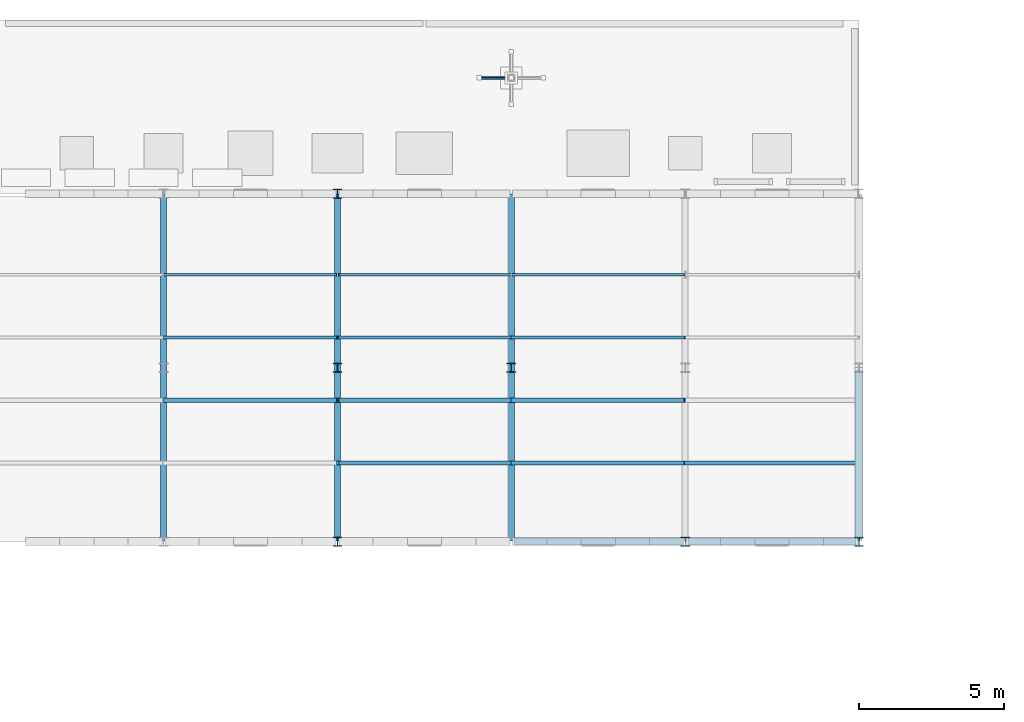
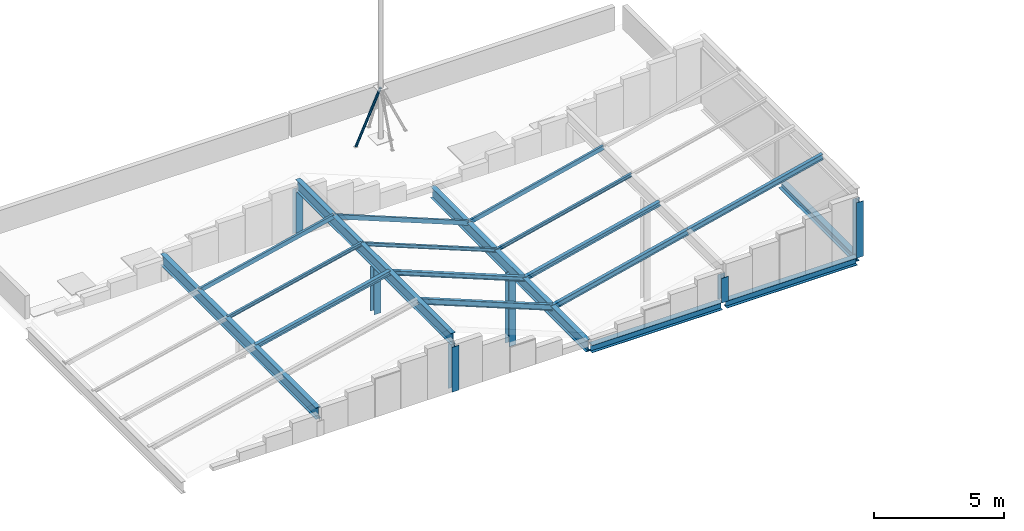
# One storey, part 20 of 74: 19 members, 6 beams.
"""IFC4 building model written with IfcOpenShell, lengths in metres."""

from ifc_helpers import new_model, si_unit, direction, frame, origin, origin_2d, place, context, subcontext, project, spatial, hollow_rectangle, hollow_circle, i_section, extrude, material, material_profile, profile_set, type_object, element, save


model = new_model("IFC4")

# Units and contexts
model_context = context("Model", 3, precision=1e-05, world=origin(), true_north=direction((0.0, 1.0)))
body_context = subcontext(model_context, "Body", "Model", "MODEL_VIEW")
ifc_project = project(units=[si_unit("LENGTHUNIT", "METRE"), si_unit("AREAUNIT", "SQUARE_METRE"), si_unit("VOLUMEUNIT", "CUBIC_METRE"), si_unit("PLANEANGLEUNIT", "RADIAN"), si_unit("MASSUNIT", "GRAM", prefix="KILO")], contexts=[model_context])

# Site, building, storey
site_placement = place(None, origin())
site = spatial("IfcSite", under=ifc_project, at=site_placement, CompositionType="ELEMENT")
building_placement = place(site_placement, origin())
building = spatial("IfcBuilding", under=site, at=building_placement, Name="Siltcreek Boulevard Central Fire Station", CompositionType="ELEMENT")
storey_placement = place(building_placement, frame((0.0, 0.0, 25.199951171875)))
storey = spatial("IfcBuildingStorey", under=building, at=storey_placement, Name="RF", CompositionType="ELEMENT", Elevation=25.199951171875)

# Beams
ifc_material_1 = material(Name="Structural steel ASTM A992 Gr50", Category="steel")
ifc_material_profile_1 = material_profile(ifc_material_1, i_section(OverallWidth=0.25390625, OverallDepth=0.35302734375, WebThickness=0.009521484375, FlangeThickness=0.016357421875, at=origin_2d()), Name="W360X91")
ifc_profile_set_1 = profile_set([ifc_material_profile_1], Name="Structural steel ASTM A992 Gr50")
beam_type_1 = type_object("IfcBeamType", Name="BM_W360X91", PredefinedType="BEAM", material=ifc_profile_set_1)
for number, where, z_axis, x_axis, name in (
    (1, (154.199951171875, 94.300048828125, -3.7763671875), (0.0, 1.0, 0.0), (-1.0, 0.0, 0.0), "Perimeter roof eave tie beam EB-08"),
    (2, (142.300048828125, 94.199951171875, -3.7763671875), (1.0, 0.0, 0.0), (0.0, 1.0, 0.0), "Perimeter roof eave tie beam EB-11"),
    (3, (148.300048828125, 94.199951171875, -3.7763671875), (1.0, 0.0, 0.0), (0.0, 1.0, 0.0), "Perimeter roof eave tie beam EB-12"),
):
    element("IfcBeam", number, at=place(storey_placement, frame(where, z_axis=z_axis, x_axis=x_axis)), inside=storey, type_object=beam_type_1, Name=name, PredefinedType="BEAM", context=body_context, shape_type="SweptSolid", body=[
        extrude(i_section(OverallWidth=0.25390625, OverallDepth=0.35302734375, WebThickness=0.009521484375, FlangeThickness=0.016357421875, at=origin_2d()), origin(), (0.0, 0.0, 1.0), 5.800048828125),
    ])
ifc_material_profile_2 = material_profile(ifc_material_1, i_section(OverallWidth=0.2109375, OverallDepth=0.5390625, WebThickness=0.01171875, FlangeThickness=0.018798828125, at=origin_2d()), Name="W530X109")
ifc_profile_set_2 = profile_set([ifc_material_profile_2], Name="Structural steel ASTM A992 Gr50")
beam_type_2 = type_object("IfcBeamType", Name="BM_W530X109", PredefinedType="BEAM", material=ifc_profile_set_2)
for number, where, z_axis, x_axis, name in (
    (4, (130.199951171875, 94.2099609375, -2.62353515625), (0.0, 1.0, 0.0), (-1.0, 0.0, 0.0), "Pitched roof rafter beam RFB-052"),
    (5, (136.199951171875, 94.2099609375, -1.223388671875), (0.0, 1.0, 0.0), (-1.0, 0.0, 0.0), "Pitched roof rafter beam RFB-053"),
    (6, (142.199951171875, 94.2099609375, -3.656982421875), (0.0, 1.0, 0.0), (-1.0, 0.0, 0.0), "Pitched roof rafter beam RFB-054"),
):
    element("IfcBeam", number, at=place(storey_placement, frame(where, z_axis=z_axis, x_axis=x_axis)), inside=storey, type_object=beam_type_2, Name=name, PredefinedType="BEAM", context=body_context, shape_type="SweptSolid", body=[
        extrude(i_section(OverallWidth=0.2109375, OverallDepth=0.5390625, WebThickness=0.01171875, FlangeThickness=0.018798828125, at=origin_2d()), origin(), (0.0, 0.0, 1.0), 11.97998046875),
    ])

# Members
ifc_material_2 = material(Name="Structural steel ASTM A500 GrC", Category="steel")
ifc_material_profile_3 = material_profile(ifc_material_2, hollow_circle(Radius=0.05712890625, WallThickness=0.006103515625, at=origin_2d()), Name="HSS114.3X6.0")
ifc_profile_set_3 = profile_set([ifc_material_profile_3], Name="Structural steel ASTM A500 GrC")
member_type_1 = type_object("IfcMemberType", Name="BR_CHS114", PredefinedType="BRACE", material=ifc_profile_set_3)
member_1_placement = place(storey_placement, frame((141.10009765625, 110.199951171875, -3.599853515625), z_axis=(0.4166228663, 0.0, 0.909079417475), x_axis=(0.0, 1.0, 0.0)))
element("IfcMember", 7, at=member_1_placement, inside=storey, type_object=member_type_1, Name="Communications mast MB1 base diagonal strut 2", PredefinedType="BRACE", context=body_context, shape_type="SweptSolid", body=[
    extrude(hollow_circle(Radius=0.05712890625, WallThickness=0.006103515625, at=origin_2d()), origin(), (0.0, 0.0, 1.0), 2.639892578125),
])
ifc_material_profile_4 = material_profile(ifc_material_1, i_section(OverallWidth=0.304931640625, OverallDepth=0.30810546875, WebThickness=0.010009765625, FlangeThickness=0.015380859375, at=origin_2d()), Name="W310X97")
ifc_profile_set_4 = profile_set([ifc_material_profile_4], Name="Structural steel ASTM A992 Gr50")
member_type_2 = type_object("IfcMemberType", Name="CH_W310X97", PredefinedType="CHORD", material=ifc_profile_set_4)
for number, where, z_axis, x_axis, name in (
    (8, (136.199951171875, 94.199951171875, -3.599853515625), (0.0, 0.0, 1.0), (1.0, 0.0, 0.0), "Roof bearing truss post 0771"),
    (9, (136.199951171875, 100.199951171875, -3.599853515625), (0.0, 0.0, 1.0), (1.0, 0.0, 0.0), "Roof bearing truss post 0772"),
    (10, (136.199951171875, 106.199951171875, -3.599853515625), (0.0, 0.0, 1.0), (1.0, 0.0, 0.0), "Roof bearing truss post 0773"),
):
    element("IfcMember", number, at=place(storey_placement, frame(where, z_axis=z_axis, x_axis=x_axis)), inside=storey, type_object=member_type_2, Name=name, PredefinedType="CHORD", context=body_context, shape_type="SweptSolid", body=[
        extrude(i_section(OverallWidth=0.304931640625, OverallDepth=0.30810546875, WebThickness=0.010009765625, FlangeThickness=0.015380859375, at=origin_2d()), origin(), (0.0, 0.0, 1.0), 2.11083984375),
    ])
member_2_placement = place(storey_placement, frame((142.199951171875, 100.199951171875, -7.199951171875), z_axis=(0.0, 0.0, 1.0), x_axis=(1.0, 0.0, 0.0)))
element("IfcMember", 11, at=member_2_placement, inside=storey, type_object=member_type_2, Name="Roof bearing truss post 0780", PredefinedType="CHORD", context=body_context, shape_type="SweptSolid", body=[
    extrude(i_section(OverallWidth=0.304931640625, OverallDepth=0.30810546875, WebThickness=0.010009765625, FlangeThickness=0.015380859375, at=origin_2d()), origin(), (0.0, 0.0, 1.0), 3.3095703125),
])
member_3_placement = place(storey_placement, frame((148.199951171875, 94.199951171875, -3.599853515625), z_axis=(0.0, 0.0, 1.0), x_axis=(1.0, 0.0, 0.0)))
element("IfcMember", 12, at=member_3_placement, inside=storey, type_object=member_type_2, Name="Roof bearing truss post 0785", PredefinedType="CHORD", context=body_context, shape_type="SweptSolid", body=[
    extrude(i_section(OverallWidth=0.304931640625, OverallDepth=0.30810546875, WebThickness=0.010009765625, FlangeThickness=0.015380859375, at=origin_2d()), origin(), (0.0, 0.0, 1.0), 1.159423828125),
])
member_4_placement = place(storey_placement, frame((154.199951171875, 94.199951171875, -3.599853515625), z_axis=(0.0, 0.0, 1.0), x_axis=(1.0, 0.0, 0.0)))
element("IfcMember", 13, at=member_4_placement, inside=storey, type_object=member_type_2, Name="Roof bearing truss post 0792", PredefinedType="CHORD", context=body_context, shape_type="SweptSolid", body=[
    extrude(i_section(OverallWidth=0.304931640625, OverallDepth=0.30810546875, WebThickness=0.010009765625, FlangeThickness=0.015380859375, at=origin_2d()), origin(), (0.0, 0.0, 1.0), 2.609375),
])
ifc_material_profile_5 = material_profile(ifc_material_2, hollow_rectangle(XDim=0.10009765625, YDim=0.199951171875, WallThickness=0.00634765625, at=origin_2d()), Name="HSS200X100X6.4")
ifc_profile_set_5 = profile_set([ifc_material_profile_5], Name="Structural steel ASTM A500 GrC")
member_type_3 = type_object("IfcMemberType", Name="PR_HSS200X100", PredefinedType="PURLIN", material=ifc_profile_set_5)
member_5_placement = place(storey_placement, frame((130.2099609375, 103.406005859375, -2.4208984375), z_axis=(0.973843555816, 0.0, 0.227219560769), x_axis=(0.0, 1.0, 0.0)))
element("IfcMember", 14, at=member_5_placement, inside=storey, type_object=member_type_3, Name="Sloped roof purlin PR-0275", PredefinedType="PURLIN", context=body_context, shape_type="SweptSolid", body=[
    extrude(hollow_rectangle(XDim=0.10009765625, YDim=0.199951171875, WallThickness=0.00634765625, at=origin_2d()), origin(), (0.0, 0.0, 1.0), 6.140625),
])
member_6_placement = place(storey_placement, frame((136.2099609375, 103.406005859375, -1.044921875), z_axis=(0.928471462369, 0.0, -0.371403747379), x_axis=(0.0, 1.0, 0.0)))
element("IfcMember", 15, at=member_6_placement, inside=storey, type_object=member_type_3, Name="Sloped roof purlin PR-0279", PredefinedType="PURLIN", context=body_context, shape_type="SweptSolid", body=[
    extrude(hollow_rectangle(XDim=0.10009765625, YDim=0.199951171875, WallThickness=0.00634765625, at=origin_2d()), origin(), (0.0, 0.0, 1.0), 6.440673828125),
])
member_7_placement = place(storey_placement, frame((142.2099609375, 103.406005859375, -3.421630859375), z_axis=(0.972021936991, 0.0, 0.234890089208), x_axis=(0.0, 1.0, 0.0)))
element("IfcMember", 16, at=member_7_placement, inside=storey, type_object=member_type_3, Name="Sloped roof purlin PR-0283", PredefinedType="PURLIN", context=body_context, shape_type="SweptSolid", body=[
    extrude(hollow_rectangle(XDim=0.10009765625, YDim=0.199951171875, WallThickness=0.00634765625, at=origin_2d()), origin(), (0.0, 0.0, 1.0), 6.152099609375),
])
ifc_material_profile_6 = material_profile(ifc_material_1, i_section(OverallWidth=0.10205078125, OverallDepth=0.159912109375, WebThickness=0.006591796875, FlangeThickness=0.01025390625, at=origin_2d()), Name="W150X24")
ifc_profile_set_6 = profile_set([ifc_material_profile_6], Name="Structural steel ASTM A992 Gr50")
member_type_4 = type_object("IfcMemberType", Name="PR_W150X24", PredefinedType="PURLIN", material=ifc_profile_set_6)
member_8_placement = place(storey_placement, frame((130.2099609375, 101.241943359375, -2.400390625), z_axis=(0.973843555816, 0.0, 0.227219560769), x_axis=(0.0, 1.0, 0.0)))
element("IfcMember", 17, at=member_8_placement, inside=storey, type_object=member_type_4, Name="Sloped roof purlin PR-0274", PredefinedType="PURLIN", context=body_context, shape_type="SweptSolid", body=[
    extrude(i_section(OverallWidth=0.10205078125, OverallDepth=0.159912109375, WebThickness=0.006591796875, FlangeThickness=0.01025390625, at=origin_2d()), origin(), (0.0, 0.0, 1.0), 6.140625),
])
member_9_placement = place(storey_placement, frame((136.2099609375, 101.241943359375, -1.0234375), z_axis=(0.928484533425, 0.0, -0.371371069403), x_axis=(0.0, 1.0, 0.0)))
element("IfcMember", 18, at=member_9_placement, inside=storey, type_object=member_type_4, Name="Sloped roof purlin PR-0278", PredefinedType="PURLIN", context=body_context, shape_type="SweptSolid", body=[
    extrude(i_section(OverallWidth=0.10205078125, OverallDepth=0.159912109375, WebThickness=0.006591796875, FlangeThickness=0.01025390625, at=origin_2d()), origin(), (0.0, 0.0, 1.0), 6.440673828125),
])
member_10_placement = place(storey_placement, frame((142.2099609375, 101.241943359375, -3.401123046875), z_axis=(0.972012875749, 0.0, 0.234927583263), x_axis=(0.0, 1.0, 0.0)))
element("IfcMember", 19, at=member_10_placement, inside=storey, type_object=member_type_4, Name="Sloped roof purlin PR-0282", PredefinedType="PURLIN", context=body_context, shape_type="SweptSolid", body=[
    extrude(i_section(OverallWidth=0.10205078125, OverallDepth=0.159912109375, WebThickness=0.006591796875, FlangeThickness=0.01025390625, at=origin_2d()), origin(), (0.0, 0.0, 1.0), 6.152099609375),
])
ifc_material_profile_7 = material_profile(ifc_material_1, i_section(OverallWidth=0.1650390625, OverallDepth=0.200927734375, WebThickness=0.006103515625, FlangeThickness=0.01025390625, at=origin_2d()), Name="W200X36")
ifc_profile_set_7 = profile_set([ifc_material_profile_7], Name="Structural steel ASTM A992 Gr50")
member_type_5 = type_object("IfcMemberType", Name="PR_W200X36", PredefinedType="PURLIN", material=ifc_profile_set_7)
member_11_placement = place(storey_placement, frame((130.2099609375, 99.077880859375, -2.421630859375), z_axis=(0.973834757562, 0.0, 0.227257266033), x_axis=(0.0, 1.0, 0.0)))
element("IfcMember", 20, at=member_11_placement, inside=storey, type_object=member_type_5, Name="Sloped roof purlin PR-0273", PredefinedType="PURLIN", context=body_context, shape_type="SweptSolid", body=[
    extrude(i_section(OverallWidth=0.1650390625, OverallDepth=0.200927734375, WebThickness=0.006103515625, FlangeThickness=0.01025390625, at=origin_2d()), origin(), (0.0, 0.0, 1.0), 6.140625),
])
member_12_placement = place(storey_placement, frame((136.2099609375, 99.077880859375, -1.04541015625), z_axis=(0.928471462369, 0.0, -0.371403747379), x_axis=(0.0, 1.0, 0.0)))
element("IfcMember", 21, at=member_12_placement, inside=storey, type_object=member_type_5, Name="Sloped roof purlin PR-0277", PredefinedType="PURLIN", context=body_context, shape_type="SweptSolid", body=[
    extrude(i_section(OverallWidth=0.1650390625, OverallDepth=0.200927734375, WebThickness=0.006103515625, FlangeThickness=0.01025390625, at=origin_2d()), origin(), (0.0, 0.0, 1.0), 6.440673828125),
])
member_13_placement = place(storey_placement, frame((142.2099609375, 99.077880859375, -3.422119140625), z_axis=(0.972021936991, 0.0, 0.234890089208), x_axis=(0.0, 1.0, 0.0)))
element("IfcMember", 22, at=member_13_placement, inside=storey, type_object=member_type_5, Name="Sloped roof purlin PR-0281", PredefinedType="PURLIN", context=body_context, shape_type="SweptSolid", body=[
    extrude(i_section(OverallWidth=0.1650390625, OverallDepth=0.200927734375, WebThickness=0.006103515625, FlangeThickness=0.01025390625, at=origin_2d()), origin(), (0.0, 0.0, 1.0), 6.152099609375),
])
ifc_material_profile_8 = material_profile(ifc_material_1, i_section(OverallWidth=0.14697265625, OverallDepth=0.261962890625, WebThickness=0.006591796875, FlangeThickness=0.01123046875, at=origin_2d()), Name="W250X39")
ifc_profile_set_8 = profile_set([ifc_material_profile_8], Name="Structural steel ASTM A992 Gr50")
member_type_6 = type_object("IfcMemberType", Name="PR_W250X39", PredefinedType="PURLIN", material=ifc_profile_set_8)
member_14_placement = place(storey_placement, frame((136.2099609375, 96.9140625, -1.078369140625), z_axis=(0.928484533425, 0.0, -0.371371069403), x_axis=(0.0, 1.0, 0.0)))
element("IfcMember", 23, at=member_14_placement, inside=storey, type_object=member_type_6, Name="Sloped roof purlin PR-0276", PredefinedType="PURLIN", context=body_context, shape_type="SweptSolid", body=[
    extrude(i_section(OverallWidth=0.14697265625, OverallDepth=0.261962890625, WebThickness=0.006591796875, FlangeThickness=0.01123046875, at=origin_2d()), origin(), (0.0, 0.0, 1.0), 6.440673828125),
])
for number, where, z_axis, x_axis, name in (
    (24, (142.2099609375, 96.9140625, -3.45361328125), (0.972012875749, 0.0, 0.234927583263), (0.0, 1.0, 0.0), "Sloped roof purlin PR-0280"),
    (25, (148.2099609375, 96.9140625, -2.00341796875), (0.972021936991, 0.0, 0.234890089208), (0.0, 1.0, 0.0), "Sloped roof purlin PR-0284"),
):
    element("IfcMember", number, at=place(storey_placement, frame(where, z_axis=z_axis, x_axis=x_axis)), inside=storey, type_object=member_type_6, Name=name, PredefinedType="PURLIN", context=body_context, shape_type="SweptSolid", body=[
        extrude(i_section(OverallWidth=0.14697265625, OverallDepth=0.261962890625, WebThickness=0.006591796875, FlangeThickness=0.01123046875, at=origin_2d()), origin(), (0.0, 0.0, 1.0), 6.152099609375),
    ])

save(model, "model.ifc")
